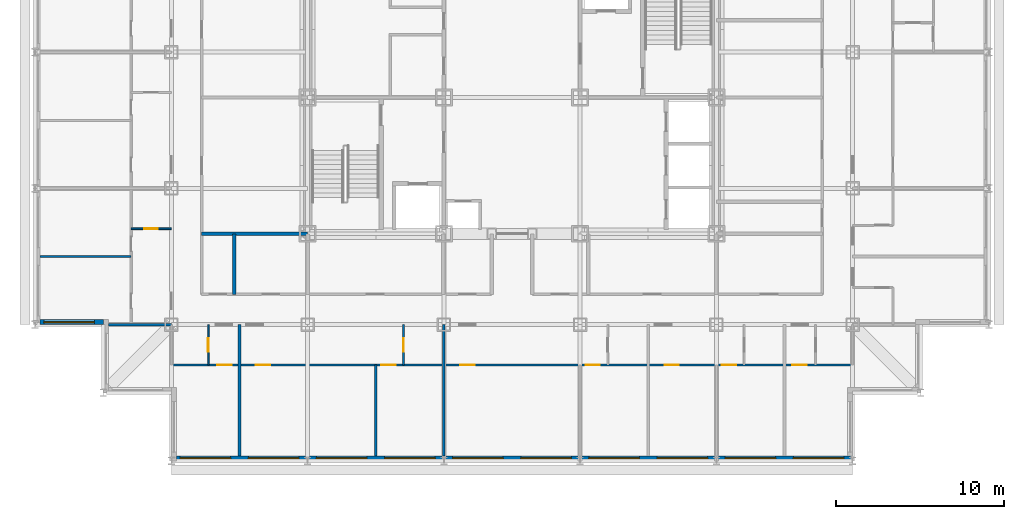
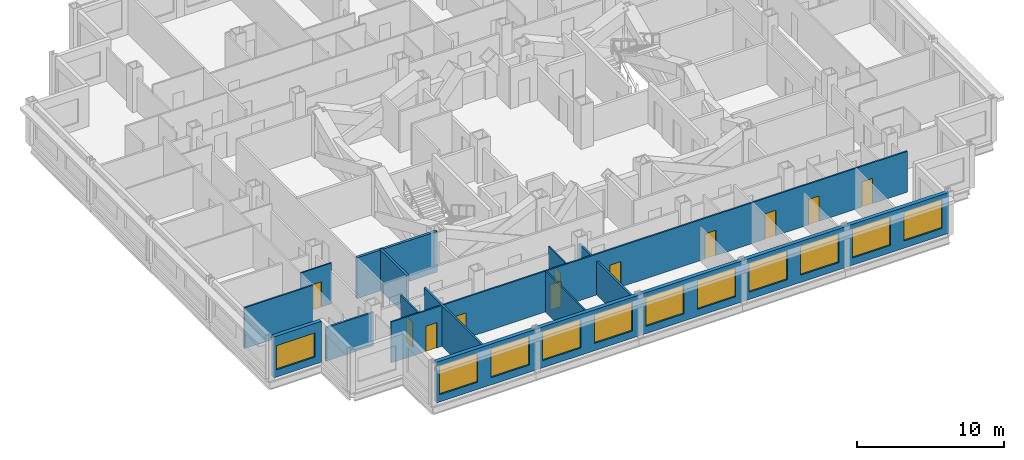
# One storey, part 4 of 12: 13 walls, 11 doors, 11 windows, 22 openings.
"""IFC4 building model written with IfcOpenShell, lengths in metres."""

from ifc_helpers import new_model, si_unit, direction, frame, frame_2d, origin, place, context, subcontext, project, spatial, rectangle, extrude, material, layer, layer_set, type_object, element, fill, save


model = new_model("IFC4")

# Units and contexts
model_context = context("Model", 3, precision=1e-05, world=origin(), true_north=direction((0.0, 1.0)))
body_context = subcontext(model_context, "Body", "Model", "MODEL_VIEW")
ifc_project = project(units=[si_unit("LENGTHUNIT", "METRE"), si_unit("AREAUNIT", "SQUARE_METRE"), si_unit("VOLUMEUNIT", "CUBIC_METRE"), si_unit("PLANEANGLEUNIT", "RADIAN"), si_unit("MASSUNIT", "GRAM", prefix="KILO")], contexts=[model_context])

# Site, building, storey
site_placement = place(None, origin())
site = spatial("IfcSite", under=ifc_project, at=site_placement, CompositionType="ELEMENT")
building_placement = place(site_placement, origin())
building = spatial("IfcBuilding", under=site, at=building_placement, Name="Kopane Lantern Tower", CompositionType="ELEMENT")
storey_placement = place(building_placement, frame((0.0, 0.0, 192.0)))
storey = spatial("IfcBuildingStorey", under=building, at=storey_placement, Name="L49", CompositionType="ELEMENT", Elevation=192.0)

# Walls
ifc_material_1 = material(Name="Gypsum board on steel studs", Category="steel")
ifc_layer_1 = layer(ifc_material_1, 0.1201171875)
ifc_layer_set_1 = layer_set([ifc_layer_1], Name="APARTMENT INTERNAL WALL 120")
wall_type_1 = type_object("IfcWallType", Name="APARTMENT INTERNAL WALL 120", PredefinedType="PARTITIONING", material=ifc_layer_set_1)
for number, where, z_axis, x_axis, name in (
    (1, (20.25, 16.5, 0.0), (0.0, 0.0, 1.0), (0.0, -1.0, 0.0), "Apartment Internal Wall 120 L49"),
    (2, (5.699951171875, 22.949951171875, 0.0), (0.0, 0.0, 1.0), (-1.0, 0.0, 0.0), "Apartment Internal Wall 120 L49"),
):
    element("IfcWall", number, at=place(storey_placement, frame(where, z_axis=z_axis, x_axis=x_axis)), inside=storey, type_object=wall_type_1, Name=name, PredefinedType="PARTITIONING", context=body_context, shape_type="SweptSolid", body=[
        extrude(rectangle(XDim=5.39990234375, YDim=0.1201171875, at=frame_2d((2.699951171875, 0.0))), origin(), (0.0, 0.0, 1.0), 3.389892578125),
    ])

# Wall, openings, doors
wall_1_placement = place(storey_placement, frame((8.10009765625, 16.5, 0.0), z_axis=(0.0, 0.0, 1.0), x_axis=(1.0, 0.0, 0.0)))
wall_1 = element("IfcWall", 3, at=wall_1_placement, inside=storey, type_object=wall_type_1, Name="Apartment Internal Wall 120 L49", PredefinedType="PARTITIONING", context=body_context, shape_type="SweptSolid", body=[
    extrude(rectangle(XDim=40.5, YDim=0.1201171875, at=frame_2d((20.25, 0.0))), origin(), (0.0, 0.0, 1.0), 3.389892578125),
])
opening_1_placement = place(wall_1_placement, frame((5.02490234375, 0.0, 0.0)))
opening_1 = element("IfcOpeningElement", 4, at=opening_1_placement, cuts=wall_1, Name="Opening L49-016", PredefinedType="OPENING", context=body_context, shape_type="SweptSolid", body=[
    extrude(rectangle(XDim=0.85009765625, YDim=2.10009765625, at=frame_2d((0.425048828125, 1.050048828125))), frame((0.0, 0.070068359375, 0.0), z_axis=(0.0, -1.0, 0.0), x_axis=(1.0, 0.0, 0.0)), (0.0, 0.0, 1.0), 0.14013671875),
])
opening_2_placement = place(wall_1_placement, frame((12.47509765625, 0.0, 0.0)))
opening_2 = element("IfcOpeningElement", 5, at=opening_2_placement, cuts=wall_1, Name="Opening L49-017", PredefinedType="OPENING", context=body_context, shape_type="SweptSolid", body=[
    extrude(rectangle(XDim=0.85009765625, YDim=2.10009765625, at=frame_2d((0.425048828125, 1.050048828125))), frame((0.0, 0.070068359375, 0.0), z_axis=(0.0, -1.0, 0.0), x_axis=(1.0, 0.0, 0.0)), (0.0, 0.0, 1.0), 0.14013671875),
])
opening_3_placement = place(wall_1_placement, frame((17.175048828125, 0.0, 0.0)))
opening_3 = element("IfcOpeningElement", 6, at=opening_3_placement, cuts=wall_1, Name="Opening L49-020", PredefinedType="OPENING", context=body_context, shape_type="SweptSolid", body=[
    extrude(rectangle(XDim=0.85009765625, YDim=2.10009765625, at=frame_2d((0.425048828125, 1.050048828125))), frame((0.0, 0.070068359375, 0.0), z_axis=(0.0, -1.0, 0.0), x_axis=(1.0, 0.0, 0.0)), (0.0, 0.0, 1.0), 0.14013671875),
])
opening_4_placement = place(wall_1_placement, frame((24.625, 0.0, 0.0)))
opening_4 = element("IfcOpeningElement", 7, at=opening_4_placement, cuts=wall_1, Name="Opening L49-021", PredefinedType="OPENING", context=body_context, shape_type="SweptSolid", body=[
    extrude(rectangle(XDim=0.85009765625, YDim=2.10009765625, at=frame_2d((0.425048828125, 1.050048828125))), frame((0.0, 0.070068359375, 0.0), z_axis=(0.0, -1.0, 0.0), x_axis=(1.0, 0.0, 0.0)), (0.0, 0.0, 1.0), 0.14013671875),
])
opening_5_placement = place(wall_1_placement, frame((29.324951171875, 0.0, 0.0)))
opening_5 = element("IfcOpeningElement", 8, at=opening_5_placement, cuts=wall_1, Name="Opening L49-024", PredefinedType="OPENING", context=body_context, shape_type="SweptSolid", body=[
    extrude(rectangle(XDim=0.85009765625, YDim=2.10009765625, at=frame_2d((0.425048828125, 1.050048828125))), frame((0.0, 0.070068359375, 0.0), z_axis=(0.0, -1.0, 0.0), x_axis=(1.0, 0.0, 0.0)), (0.0, 0.0, 1.0), 0.14013671875),
])
opening_6_placement = place(wall_1_placement, frame((32.72509765625, 0.0, 0.0)))
opening_6 = element("IfcOpeningElement", 9, at=opening_6_placement, cuts=wall_1, Name="Opening L49-025", PredefinedType="OPENING", context=body_context, shape_type="SweptSolid", body=[
    extrude(rectangle(XDim=0.85009765625, YDim=2.10009765625, at=frame_2d((0.425048828125, 1.050048828125))), frame((0.0, 0.070068359375, 0.0), z_axis=(0.0, -1.0, 0.0), x_axis=(1.0, 0.0, 0.0)), (0.0, 0.0, 1.0), 0.14013671875),
])
opening_7_placement = place(wall_1_placement, frame((2.72509765625, 0.0, 0.0)))
opening_7 = element("IfcOpeningElement", 10, at=opening_7_placement, cuts=wall_1, Name="Opening L49-064", PredefinedType="OPENING", context=body_context, shape_type="SweptSolid", body=[
    extrude(rectangle(XDim=0.85009765625, YDim=2.10009765625, at=frame_2d((0.425048828125, 1.050048828125))), frame((0.0, 0.070068359375, 0.0), z_axis=(0.0, -1.0, 0.0), x_axis=(1.0, 0.0, 0.0)), (0.0, 0.0, 1.0), 0.14013671875),
])
opening_8_placement = place(wall_1_placement, frame((36.925048828125, 0.0, 0.0)))
opening_8 = element("IfcOpeningElement", 11, at=opening_8_placement, cuts=wall_1, Name="Opening L49-067", PredefinedType="OPENING", context=body_context, shape_type="SweptSolid", body=[
    extrude(rectangle(XDim=0.85009765625, YDim=2.10009765625, at=frame_2d((0.425048828125, 1.050048828125))), frame((0.0, 0.070068359375, 0.0), z_axis=(0.0, -1.0, 0.0), x_axis=(1.0, 0.0, 0.0)), (0.0, 0.0, 1.0), 0.14013671875),
])
ifc_material_2 = material(Name="Timber door set", Category="wood")
door_type_1 = type_object("IfcDoorType", Name="DOOR D4 850x2100", OperationType="SINGLE_SWING_LEFT", PredefinedType="DOOR", material=ifc_material_2)
door_1_placement = place(opening_1_placement, origin())
door_1 = element("IfcDoor", 12, at=door_1_placement, inside=storey, type_object=door_type_1, Name="Door L49-016", OperationType="SINGLE_SWING_LEFT", OverallHeight=2.10009765625, OverallWidth=0.85009765625, PredefinedType="DOOR", context=body_context, shape_type="SweptSolid", body=[
    extrude(rectangle(XDim=0.85009765625, YDim=2.10009765625, at=frame_2d((0.425048828125, 1.050048828125))), frame((0.0, 0.02490234375, 0.0), z_axis=(0.0, -1.0, 0.0), x_axis=(1.0, 0.0, 0.0)), (0.0, 0.0, 1.0), 0.050048828125),
])
fill(opening_1, door_1)
door_2_placement = place(opening_2_placement, origin())
door_2 = element("IfcDoor", 13, at=door_2_placement, inside=storey, type_object=door_type_1, Name="Door L49-017", OperationType="SINGLE_SWING_RIGHT", OverallHeight=2.10009765625, OverallWidth=0.85009765625, PredefinedType="DOOR", context=body_context, shape_type="SweptSolid", body=[
    extrude(rectangle(XDim=0.85009765625, YDim=2.10009765625, at=frame_2d((0.425048828125, 1.050048828125))), frame((0.0, 0.02490234375, 0.0), z_axis=(0.0, -1.0, 0.0), x_axis=(1.0, 0.0, 0.0)), (0.0, 0.0, 1.0), 0.050048828125),
])
fill(opening_2, door_2)
door_3_placement = place(opening_3_placement, origin())
door_3 = element("IfcDoor", 14, at=door_3_placement, inside=storey, type_object=door_type_1, Name="Door L49-020", OperationType="SINGLE_SWING_RIGHT", OverallHeight=2.10009765625, OverallWidth=0.85009765625, PredefinedType="DOOR", context=body_context, shape_type="SweptSolid", body=[
    extrude(rectangle(XDim=0.85009765625, YDim=2.10009765625, at=frame_2d((0.425048828125, 1.050048828125))), frame((0.0, 0.02490234375, 0.0), z_axis=(0.0, -1.0, 0.0), x_axis=(1.0, 0.0, 0.0)), (0.0, 0.0, 1.0), 0.050048828125),
])
fill(opening_3, door_3)
door_4_placement = place(opening_4_placement, origin())
door_4 = element("IfcDoor", 15, at=door_4_placement, inside=storey, type_object=door_type_1, Name="Door L49-021", OperationType="SINGLE_SWING_RIGHT", OverallHeight=2.10009765625, OverallWidth=0.85009765625, PredefinedType="DOOR", context=body_context, shape_type="SweptSolid", body=[
    extrude(rectangle(XDim=0.85009765625, YDim=2.10009765625, at=frame_2d((0.425048828125, 1.050048828125))), frame((0.0, 0.02490234375, 0.0), z_axis=(0.0, -1.0, 0.0), x_axis=(1.0, 0.0, 0.0)), (0.0, 0.0, 1.0), 0.050048828125),
])
fill(opening_4, door_4)
door_5_placement = place(opening_5_placement, origin())
door_5 = element("IfcDoor", 16, at=door_5_placement, inside=storey, type_object=door_type_1, Name="Door L49-024", OperationType="SINGLE_SWING_LEFT", OverallHeight=2.10009765625, OverallWidth=0.85009765625, PredefinedType="DOOR", context=body_context, shape_type="SweptSolid", body=[
    extrude(rectangle(XDim=0.85009765625, YDim=2.10009765625, at=frame_2d((0.425048828125, 1.050048828125))), frame((0.0, 0.02490234375, 0.0), z_axis=(0.0, -1.0, 0.0), x_axis=(1.0, 0.0, 0.0)), (0.0, 0.0, 1.0), 0.050048828125),
])
fill(opening_5, door_5)
door_6_placement = place(opening_6_placement, origin())
door_6 = element("IfcDoor", 17, at=door_6_placement, inside=storey, type_object=door_type_1, Name="Door L49-025", OperationType="SINGLE_SWING_RIGHT", OverallHeight=2.10009765625, OverallWidth=0.85009765625, PredefinedType="DOOR", context=body_context, shape_type="SweptSolid", body=[
    extrude(rectangle(XDim=0.85009765625, YDim=2.10009765625, at=frame_2d((0.425048828125, 1.050048828125))), frame((0.0, 0.02490234375, 0.0), z_axis=(0.0, -1.0, 0.0), x_axis=(1.0, 0.0, 0.0)), (0.0, 0.0, 1.0), 0.050048828125),
])
fill(opening_6, door_6)
door_7_placement = place(opening_7_placement, origin())
door_7 = element("IfcDoor", 18, at=door_7_placement, inside=storey, type_object=door_type_1, Name="Door L49-064", OperationType="SINGLE_SWING_LEFT", OverallHeight=2.10009765625, OverallWidth=0.85009765625, PredefinedType="DOOR", context=body_context, shape_type="SweptSolid", body=[
    extrude(rectangle(XDim=0.85009765625, YDim=2.10009765625, at=frame_2d((0.425048828125, 1.050048828125))), frame((0.0, 0.02490234375, 0.0), z_axis=(0.0, -1.0, 0.0), x_axis=(1.0, 0.0, 0.0)), (0.0, 0.0, 1.0), 0.050048828125),
])
fill(opening_7, door_7)
door_8_placement = place(opening_8_placement, origin())
door_8 = element("IfcDoor", 19, at=door_8_placement, inside=storey, type_object=door_type_1, Name="Door L49-067", OperationType="SINGLE_SWING_RIGHT", OverallHeight=2.10009765625, OverallWidth=0.85009765625, PredefinedType="DOOR", context=body_context, shape_type="SweptSolid", body=[
    extrude(rectangle(XDim=0.85009765625, YDim=2.10009765625, at=frame_2d((0.425048828125, 1.050048828125))), frame((0.0, 0.02490234375, 0.0), z_axis=(0.0, -1.0, 0.0), x_axis=(1.0, 0.0, 0.0)), (0.0, 0.0, 1.0), 0.050048828125),
])
fill(opening_8, door_8)

# Wall, opening, door
ifc_material_3 = material(Name="Moisture-resistant board on steel studs", Category="steel")
ifc_layer_2 = layer(ifc_material_3, 0.10009765625)
ifc_layer_set_2 = layer_set([ifc_layer_2], Name="BATHROOM WALL 100")
wall_type_2 = type_object("IfcWallType", Name="BATHROOM WALL 100", PredefinedType="PARTITIONING", material=ifc_layer_set_2)
wall_2_placement = place(storey_placement, frame((21.89990234375, 18.89990234375, 0.0), z_axis=(0.0, 0.0, 1.0), x_axis=(0.0, -1.0, 0.0)))
wall_2 = element("IfcWall", 20, at=wall_2_placement, inside=storey, type_object=wall_type_2, Name="Bathroom Wall 100 L49", PredefinedType="PARTITIONING", context=body_context, shape_type="SweptSolid", body=[
    extrude(rectangle(XDim=2.39990234375, YDim=0.10009765625, at=frame_2d((1.199951171875, 0.0))), origin(), (0.0, 0.0, 1.0), 3.389892578125),
])
opening_9_placement = place(wall_2_placement, frame((0.800048828125, 0.0, 0.0)))
opening_9 = element("IfcOpeningElement", 21, at=opening_9_placement, cuts=wall_2, Name="Opening L49-014", PredefinedType="OPENING", context=body_context, shape_type="SweptSolid", body=[
    extrude(rectangle(XDim=0.800048828125, YDim=2.10009765625, at=frame_2d((0.39990234375, 1.050048828125))), frame((0.0, 0.06005859375, 0.0), z_axis=(0.0, -1.0, 0.0), x_axis=(1.0, 0.0, 0.0)), (0.0, 0.0, 1.0), 0.1201171875),
])
ifc_material_4 = material(Name="Timber door set", Category="wood")
door_type_2 = type_object("IfcDoorType", Name="DOOR D2 800x2100", OperationType="SINGLE_SWING_LEFT", PredefinedType="DOOR", material=ifc_material_4)
door_9_placement = place(opening_9_placement, origin())
door_9 = element("IfcDoor", 22, at=door_9_placement, inside=storey, type_object=door_type_2, Name="Door L49-014", OperationType="SINGLE_SWING_LEFT", OverallHeight=2.10009765625, OverallWidth=0.800048828125, PredefinedType="DOOR", context=body_context, shape_type="SweptSolid", body=[
    extrude(rectangle(XDim=0.800048828125, YDim=2.10009765625, at=frame_2d((0.39990234375, 1.050048828125))), frame((0.0, 0.02490234375, 0.0), z_axis=(0.0, -1.0, 0.0), x_axis=(1.0, 0.0, 0.0)), (0.0, 0.0, 1.0), 0.050048828125),
])
fill(opening_9, door_9)

wall_3_placement = place(storey_placement, frame((8.10009765625, 24.60009765625, 0.0), z_axis=(0.0, 0.0, 1.0), x_axis=(-1.0, 0.0, 0.0)))
wall_3 = element("IfcWall", 23, at=wall_3_placement, inside=storey, type_object=wall_type_2, Name="Bathroom Wall 100 L49", PredefinedType="PARTITIONING", context=body_context, shape_type="SweptSolid", body=[
    extrude(rectangle(XDim=2.400146484375, YDim=0.10009765625, at=frame_2d((1.2001953125, 0.0))), origin(), (0.0, 0.0, 1.0), 3.389892578125),
])
opening_10_placement = place(wall_3_placement, frame((0.800048828125, 0.0, 0.0)))
opening_10 = element("IfcOpeningElement", 24, at=opening_10_placement, cuts=wall_3, Name="Opening L49-040", PredefinedType="OPENING", context=body_context, shape_type="SweptSolid", body=[
    extrude(rectangle(XDim=0.800048828125, YDim=2.10009765625, at=frame_2d((0.39990234375, 1.050048828125))), frame((0.0, 0.06005859375, 0.0), z_axis=(0.0, -1.0, 0.0), x_axis=(1.0, 0.0, 0.0)), (0.0, 0.0, 1.0), 0.1201171875),
])
door_10_placement = place(opening_10_placement, origin())
door_10 = element("IfcDoor", 25, at=door_10_placement, inside=storey, type_object=door_type_2, Name="Door L49-040", OperationType="SINGLE_SWING_RIGHT", OverallHeight=2.10009765625, OverallWidth=0.800048828125, PredefinedType="DOOR", context=body_context, shape_type="SweptSolid", body=[
    extrude(rectangle(XDim=0.800048828125, YDim=2.10009765625, at=frame_2d((0.39990234375, 1.050048828125))), frame((0.0, 0.02490234375, 0.0), z_axis=(0.0, -1.0, 0.0), x_axis=(1.0, 0.0, 0.0)), (0.0, 0.0, 1.0), 0.050048828125),
])
fill(opening_10, door_10)

wall_4_placement = place(storey_placement, frame((10.300048828125, 18.89990234375, 0.0), z_axis=(0.0, 0.0, 1.0), x_axis=(0.0, -1.0, 0.0)))
wall_4 = element("IfcWall", 26, at=wall_4_placement, inside=storey, type_object=wall_type_2, Name="Bathroom Wall 100 L49", PredefinedType="PARTITIONING", context=body_context, shape_type="SweptSolid", body=[
    extrude(rectangle(XDim=2.39990234375, YDim=0.10009765625, at=frame_2d((1.199951171875, 0.0))), origin(), (0.0, 0.0, 1.0), 3.389892578125),
])
opening_11_placement = place(wall_4_placement, frame((0.800048828125, 0.0, 0.0)))
opening_11 = element("IfcOpeningElement", 27, at=opening_11_placement, cuts=wall_4, Name="Opening L49-062", PredefinedType="OPENING", context=body_context, shape_type="SweptSolid", body=[
    extrude(rectangle(XDim=0.800048828125, YDim=2.10009765625, at=frame_2d((0.39990234375, 1.050048828125))), frame((0.0, 0.06005859375, 0.0), z_axis=(0.0, -1.0, 0.0), x_axis=(1.0, 0.0, 0.0)), (0.0, 0.0, 1.0), 0.1201171875),
])
door_11_placement = place(opening_11_placement, origin())
door_11 = element("IfcDoor", 28, at=door_11_placement, inside=storey, type_object=door_type_2, Name="Door L49-062", OperationType="SINGLE_SWING_RIGHT", OverallHeight=2.10009765625, OverallWidth=0.800048828125, PredefinedType="DOOR", context=body_context, shape_type="SweptSolid", body=[
    extrude(rectangle(XDim=0.800048828125, YDim=2.10009765625, at=frame_2d((0.39990234375, 1.050048828125))), frame((0.0, 0.02490234375, 0.0), z_axis=(0.0, -1.0, 0.0), x_axis=(1.0, 0.0, 0.0)), (0.0, 0.0, 1.0), 0.050048828125),
])
fill(opening_11, door_11)

# Walls
ifc_material_5 = material(Name="Gypsum board on steel studs", Category="steel")
ifc_layer_3 = layer(ifc_material_5, 0.14990234375)
ifc_layer_set_3 = layer_set([ifc_layer_3], Name="DEMISING WALL 150 EI 60")
wall_type_3 = type_object("IfcWallType", Name="DEMISING WALL 150 EI 60", PredefinedType="PARTITIONING", material=ifc_layer_set_3)
wall_5_placement = place(storey_placement, frame((24.300048828125, 18.89990234375, 0.0), z_axis=(0.0, 0.0, 1.0), x_axis=(0.0, -1.0, 0.0)))
element("IfcWall", 29, at=wall_5_placement, inside=storey, type_object=wall_type_3, Name="Demising Wall 150 Ei 60 L49", PredefinedType="PARTITIONING", context=body_context, shape_type="SweptSolid", body=[
    extrude(rectangle(XDim=7.7998046875, YDim=0.14990234375, at=frame_2d((3.89990234375, 0.0))), origin(), (0.0, 0.0, 1.0), 2.77783203125),
])
wall_6_placement = place(storey_placement, frame((4.35009765625, 18.89990234375, 0.0), z_axis=(0.0, 0.0, 1.0), x_axis=(1.0, 0.0, 0.0)))
element("IfcWall", 30, at=wall_6_placement, inside=storey, type_object=wall_type_3, Name="Demising Wall 150 Ei 60 L49", PredefinedType="PARTITIONING", context=body_context, shape_type="SweptSolid", body=[
    extrude(rectangle(XDim=3.75, YDim=0.14990234375, at=frame_2d((1.875, 0.0))), origin(), (0.0, 0.0, 1.0), 2.77783203125),
])
wall_7_placement = place(storey_placement, frame((12.14990234375, 18.89990234375, 0.0), z_axis=(0.0, 0.0, 1.0), x_axis=(0.0, -1.0, 0.0)))
element("IfcWall", 31, at=wall_7_placement, inside=storey, type_object=wall_type_3, Name="Demising Wall 150 Ei 60 L49", PredefinedType="PARTITIONING", context=body_context, shape_type="SweptSolid", body=[
    extrude(rectangle(XDim=7.7998046875, YDim=0.14990234375, at=frame_2d((3.89990234375, 0.0))), origin(), (0.0, 0.0, 1.0), 3.389892578125),
])

# Wall, openings, windows
ifc_material_6 = material(Name="Terracotta rainscreen on light steel framing", Category="masonry")
ifc_layer_4 = layer(ifc_material_6, 0.300048828125)
ifc_layer_set_4 = layer_set([ifc_layer_4], Name="EXTERNAL WALL EW1 300 TERRACOTTA")
wall_type_4 = type_object("IfcWallType", Name="EXTERNAL WALL EW1 300 TERRACOTTA", PredefinedType="SOLIDWALL", material=ifc_layer_set_4)
wall_8_placement = place(storey_placement, frame((8.39990234375, 10.949951171875, 0.0), z_axis=(0.0, 0.0, 1.0), x_axis=(1.0, 0.0, 0.0)))
wall_8 = element("IfcWall", 32, at=wall_8_placement, inside=storey, type_object=wall_type_4, Name="External wall S L49", PredefinedType="SOLIDWALL", context=body_context, shape_type="SweptSolid", body=[
    extrude(rectangle(XDim=40.2001953125, YDim=0.300048828125, at=frame_2d((20.10009765625, 0.0))), origin(), (0.0, 0.0, 1.0), 3.389892578125),
])
opening_12_placement = place(wall_8_placement, frame((0.22509765625, 0.0, 0.60009765625)))
opening_12 = element("IfcOpeningElement", 33, at=opening_12_placement, cuts=wall_8, Name="Opening WR300240", PredefinedType="OPENING", context=body_context, shape_type="SweptSolid", body=[
    extrude(rectangle(XDim=3.0, YDim=2.39990234375, at=frame_2d((1.5, 1.199951171875))), frame((0.0, 0.159912109375, 0.0), z_axis=(0.0, -1.0, 0.0), x_axis=(1.0, 0.0, 0.0)), (0.0, 0.0, 1.0), 0.320068359375),
])
opening_13_placement = place(wall_8_placement, frame((4.27490234375, 0.0, 0.60009765625)))
opening_13 = element("IfcOpeningElement", 34, at=opening_13_placement, cuts=wall_8, Name="Opening WR300240", PredefinedType="OPENING", context=body_context, shape_type="SweptSolid", body=[
    extrude(rectangle(XDim=3.0, YDim=2.39990234375, at=frame_2d((1.5, 1.199951171875))), frame((0.0, 0.159912109375, 0.0), z_axis=(0.0, -1.0, 0.0), x_axis=(1.0, 0.0, 0.0)), (0.0, 0.0, 1.0), 0.320068359375),
])
opening_14_placement = place(wall_8_placement, frame((8.324951171875, 0.0, 0.60009765625)))
opening_14 = element("IfcOpeningElement", 35, at=opening_14_placement, cuts=wall_8, Name="Opening WR300240", PredefinedType="OPENING", context=body_context, shape_type="SweptSolid", body=[
    extrude(rectangle(XDim=3.0, YDim=2.39990234375, at=frame_2d((1.5, 1.199951171875))), frame((0.0, 0.159912109375, 0.0), z_axis=(0.0, -1.0, 0.0), x_axis=(1.0, 0.0, 0.0)), (0.0, 0.0, 1.0), 0.320068359375),
])
opening_15_placement = place(wall_8_placement, frame((12.375, 0.0, 0.60009765625)))
opening_15 = element("IfcOpeningElement", 36, at=opening_15_placement, cuts=wall_8, Name="Opening WR300240", PredefinedType="OPENING", context=body_context, shape_type="SweptSolid", body=[
    extrude(rectangle(XDim=3.0, YDim=2.39990234375, at=frame_2d((1.5, 1.199951171875))), frame((0.0, 0.159912109375, 0.0), z_axis=(0.0, -1.0, 0.0), x_axis=(1.0, 0.0, 0.0)), (0.0, 0.0, 1.0), 0.320068359375),
])
opening_16_placement = place(wall_8_placement, frame((16.425048828125, 0.0, 0.60009765625)))
opening_16 = element("IfcOpeningElement", 37, at=opening_16_placement, cuts=wall_8, Name="Opening WR300240", PredefinedType="OPENING", context=body_context, shape_type="SweptSolid", body=[
    extrude(rectangle(XDim=3.0, YDim=2.39990234375, at=frame_2d((1.5, 1.199951171875))), frame((0.0, 0.159912109375, 0.0), z_axis=(0.0, -1.0, 0.0), x_axis=(1.0, 0.0, 0.0)), (0.0, 0.0, 1.0), 0.320068359375),
])
opening_17_placement = place(wall_8_placement, frame((20.47509765625, 0.0, 0.60009765625)))
opening_17 = element("IfcOpeningElement", 38, at=opening_17_placement, cuts=wall_8, Name="Opening WR300240", PredefinedType="OPENING", context=body_context, shape_type="SweptSolid", body=[
    extrude(rectangle(XDim=3.0, YDim=2.39990234375, at=frame_2d((1.5, 1.199951171875))), frame((0.0, 0.159912109375, 0.0), z_axis=(0.0, -1.0, 0.0), x_axis=(1.0, 0.0, 0.0)), (0.0, 0.0, 1.0), 0.320068359375),
])
opening_18_placement = place(wall_8_placement, frame((24.52490234375, 0.0, 0.60009765625)))
opening_18 = element("IfcOpeningElement", 39, at=opening_18_placement, cuts=wall_8, Name="Opening WR300240", PredefinedType="OPENING", context=body_context, shape_type="SweptSolid", body=[
    extrude(rectangle(XDim=3.0, YDim=2.39990234375, at=frame_2d((1.5, 1.199951171875))), frame((0.0, 0.159912109375, 0.0), z_axis=(0.0, -1.0, 0.0), x_axis=(1.0, 0.0, 0.0)), (0.0, 0.0, 1.0), 0.320068359375),
])
opening_19_placement = place(wall_8_placement, frame((28.574951171875, 0.0, 0.60009765625)))
opening_19 = element("IfcOpeningElement", 40, at=opening_19_placement, cuts=wall_8, Name="Opening WR300240", PredefinedType="OPENING", context=body_context, shape_type="SweptSolid", body=[
    extrude(rectangle(XDim=3.0, YDim=2.39990234375, at=frame_2d((1.5, 1.199951171875))), frame((0.0, 0.159912109375, 0.0), z_axis=(0.0, -1.0, 0.0), x_axis=(1.0, 0.0, 0.0)), (0.0, 0.0, 1.0), 0.320068359375),
])
opening_20_placement = place(wall_8_placement, frame((32.625, 0.0, 0.60009765625)))
opening_20 = element("IfcOpeningElement", 41, at=opening_20_placement, cuts=wall_8, Name="Opening WR300240", PredefinedType="OPENING", context=body_context, shape_type="SweptSolid", body=[
    extrude(rectangle(XDim=3.0, YDim=2.39990234375, at=frame_2d((1.5, 1.199951171875))), frame((0.0, 0.159912109375, 0.0), z_axis=(0.0, -1.0, 0.0), x_axis=(1.0, 0.0, 0.0)), (0.0, 0.0, 1.0), 0.320068359375),
])
opening_21_placement = place(wall_8_placement, frame((36.675048828125, 0.0, 0.60009765625)))
opening_21 = element("IfcOpeningElement", 42, at=opening_21_placement, cuts=wall_8, Name="Opening WR300240", PredefinedType="OPENING", context=body_context, shape_type="SweptSolid", body=[
    extrude(rectangle(XDim=3.0, YDim=2.39990234375, at=frame_2d((1.5, 1.199951171875))), frame((0.0, 0.159912109375, 0.0), z_axis=(0.0, -1.0, 0.0), x_axis=(1.0, 0.0, 0.0)), (0.0, 0.0, 1.0), 0.320068359375),
])
ifc_material_7 = material(Name="Aluminium and clear glass", Category="aluminium")
window_type_1 = type_object("IfcWindowType", Name="RIBBON WINDOW WR300240 3000x2400", PartitioningType="SINGLE_PANEL", PredefinedType="WINDOW", material=ifc_material_7)
window_1_placement = place(opening_12_placement, origin())
window_1 = element("IfcWindow", 43, at=window_1_placement, inside=storey, type_object=window_type_1, Name="Window S L49", OverallHeight=2.39990234375, OverallWidth=3.0, PartitioningType="SINGLE_PANEL", PredefinedType="WINDOW", context=body_context, shape_type="SweptSolid", body=[
    extrude(rectangle(XDim=3.0, YDim=2.39990234375, at=frame_2d((1.5, 1.199951171875))), frame((0.0, 0.030029296875, 0.0), z_axis=(0.0, -1.0, 0.0), x_axis=(1.0, 0.0, 0.0)), (0.0, 0.0, 1.0), 0.06005859375),
])
fill(opening_12, window_1)
window_2_placement = place(opening_13_placement, origin())
window_2 = element("IfcWindow", 44, at=window_2_placement, inside=storey, type_object=window_type_1, Name="Window S L49", OverallHeight=2.39990234375, OverallWidth=3.0, PartitioningType="SINGLE_PANEL", PredefinedType="WINDOW", context=body_context, shape_type="SweptSolid", body=[
    extrude(rectangle(XDim=3.0, YDim=2.39990234375, at=frame_2d((1.5, 1.199951171875))), frame((0.0, 0.030029296875, 0.0), z_axis=(0.0, -1.0, 0.0), x_axis=(1.0, 0.0, 0.0)), (0.0, 0.0, 1.0), 0.06005859375),
])
fill(opening_13, window_2)
window_3_placement = place(opening_14_placement, origin())
window_3 = element("IfcWindow", 45, at=window_3_placement, inside=storey, type_object=window_type_1, Name="Window S L49", OverallHeight=2.39990234375, OverallWidth=3.0, PartitioningType="SINGLE_PANEL", PredefinedType="WINDOW", context=body_context, shape_type="SweptSolid", body=[
    extrude(rectangle(XDim=3.0, YDim=2.39990234375, at=frame_2d((1.5, 1.199951171875))), frame((0.0, 0.030029296875, 0.0), z_axis=(0.0, -1.0, 0.0), x_axis=(1.0, 0.0, 0.0)), (0.0, 0.0, 1.0), 0.06005859375),
])
fill(opening_14, window_3)
window_4_placement = place(opening_15_placement, origin())
window_4 = element("IfcWindow", 46, at=window_4_placement, inside=storey, type_object=window_type_1, Name="Window S L49", OverallHeight=2.39990234375, OverallWidth=3.0, PartitioningType="SINGLE_PANEL", PredefinedType="WINDOW", context=body_context, shape_type="SweptSolid", body=[
    extrude(rectangle(XDim=3.0, YDim=2.39990234375, at=frame_2d((1.5, 1.199951171875))), frame((0.0, 0.030029296875, 0.0), z_axis=(0.0, -1.0, 0.0), x_axis=(1.0, 0.0, 0.0)), (0.0, 0.0, 1.0), 0.06005859375),
])
fill(opening_15, window_4)
window_5_placement = place(opening_16_placement, origin())
window_5 = element("IfcWindow", 47, at=window_5_placement, inside=storey, type_object=window_type_1, Name="Window S L49", OverallHeight=2.39990234375, OverallWidth=3.0, PartitioningType="SINGLE_PANEL", PredefinedType="WINDOW", context=body_context, shape_type="SweptSolid", body=[
    extrude(rectangle(XDim=3.0, YDim=2.39990234375, at=frame_2d((1.5, 1.199951171875))), frame((0.0, 0.030029296875, 0.0), z_axis=(0.0, -1.0, 0.0), x_axis=(1.0, 0.0, 0.0)), (0.0, 0.0, 1.0), 0.06005859375),
])
fill(opening_16, window_5)
window_6_placement = place(opening_17_placement, origin())
window_6 = element("IfcWindow", 48, at=window_6_placement, inside=storey, type_object=window_type_1, Name="Window S L49", OverallHeight=2.39990234375, OverallWidth=3.0, PartitioningType="SINGLE_PANEL", PredefinedType="WINDOW", context=body_context, shape_type="SweptSolid", body=[
    extrude(rectangle(XDim=3.0, YDim=2.39990234375, at=frame_2d((1.5, 1.199951171875))), frame((0.0, 0.030029296875, 0.0), z_axis=(0.0, -1.0, 0.0), x_axis=(1.0, 0.0, 0.0)), (0.0, 0.0, 1.0), 0.06005859375),
])
fill(opening_17, window_6)
window_7_placement = place(opening_18_placement, origin())
window_7 = element("IfcWindow", 49, at=window_7_placement, inside=storey, type_object=window_type_1, Name="Window S L49", OverallHeight=2.39990234375, OverallWidth=3.0, PartitioningType="SINGLE_PANEL", PredefinedType="WINDOW", context=body_context, shape_type="SweptSolid", body=[
    extrude(rectangle(XDim=3.0, YDim=2.39990234375, at=frame_2d((1.5, 1.199951171875))), frame((0.0, 0.030029296875, 0.0), z_axis=(0.0, -1.0, 0.0), x_axis=(1.0, 0.0, 0.0)), (0.0, 0.0, 1.0), 0.06005859375),
])
fill(opening_18, window_7)
window_8_placement = place(opening_19_placement, origin())
window_8 = element("IfcWindow", 50, at=window_8_placement, inside=storey, type_object=window_type_1, Name="Window S L49", OverallHeight=2.39990234375, OverallWidth=3.0, PartitioningType="SINGLE_PANEL", PredefinedType="WINDOW", context=body_context, shape_type="SweptSolid", body=[
    extrude(rectangle(XDim=3.0, YDim=2.39990234375, at=frame_2d((1.5, 1.199951171875))), frame((0.0, 0.030029296875, 0.0), z_axis=(0.0, -1.0, 0.0), x_axis=(1.0, 0.0, 0.0)), (0.0, 0.0, 1.0), 0.06005859375),
])
fill(opening_19, window_8)
window_9_placement = place(opening_20_placement, origin())
window_9 = element("IfcWindow", 51, at=window_9_placement, inside=storey, type_object=window_type_1, Name="Window S L49", OverallHeight=2.39990234375, OverallWidth=3.0, PartitioningType="SINGLE_PANEL", PredefinedType="WINDOW", context=body_context, shape_type="SweptSolid", body=[
    extrude(rectangle(XDim=3.0, YDim=2.39990234375, at=frame_2d((1.5, 1.199951171875))), frame((0.0, 0.030029296875, 0.0), z_axis=(0.0, -1.0, 0.0), x_axis=(1.0, 0.0, 0.0)), (0.0, 0.0, 1.0), 0.06005859375),
])
fill(opening_20, window_9)
window_10_placement = place(opening_21_placement, origin())
window_10 = element("IfcWindow", 52, at=window_10_placement, inside=storey, type_object=window_type_1, Name="Window S L49", OverallHeight=2.39990234375, OverallWidth=3.0, PartitioningType="SINGLE_PANEL", PredefinedType="WINDOW", context=body_context, shape_type="SweptSolid", body=[
    extrude(rectangle(XDim=3.0, YDim=2.39990234375, at=frame_2d((1.5, 1.199951171875))), frame((0.0, 0.030029296875, 0.0), z_axis=(0.0, -1.0, 0.0), x_axis=(1.0, 0.0, 0.0)), (0.0, 0.0, 1.0), 0.06005859375),
])
fill(opening_21, window_10)

# Wall, opening, window
wall_9_placement = place(storey_placement, frame((0.300048828125, 19.050048828125, 0.0), z_axis=(0.0, 0.0, 1.0), x_axis=(1.0, 0.0, 0.0)))
wall_9 = element("IfcWall", 53, at=wall_9_placement, inside=storey, type_object=wall_type_4, Name="External wall S L49", PredefinedType="SOLIDWALL", context=body_context, shape_type="SweptSolid", body=[
    extrude(rectangle(XDim=3.75, YDim=0.300048828125, at=frame_2d((1.875, 0.0))), origin(), (0.0, 0.0, 1.0), 3.389892578125),
])
opening_22_placement = place(wall_9_placement, frame((0.22509765625, 0.0, 0.60009765625)))
opening_22 = element("IfcOpeningElement", 54, at=opening_22_placement, cuts=wall_9, Name="Opening WR300200", PredefinedType="OPENING", context=body_context, shape_type="SweptSolid", body=[
    extrude(rectangle(XDim=3.0, YDim=2.0, at=frame_2d((1.5, 1.0))), frame((0.0, 0.159912109375, 0.0), z_axis=(0.0, -1.0, 0.0), x_axis=(1.0, 0.0, 0.0)), (0.0, 0.0, 1.0), 0.320068359375),
])
ifc_material_8 = material(Name="Aluminium and clear glass", Category="aluminium")
window_type_2 = type_object("IfcWindowType", Name="RIBBON WINDOW WR300200 3000x2000", PartitioningType="SINGLE_PANEL", PredefinedType="WINDOW", material=ifc_material_8)
window_11_placement = place(opening_22_placement, origin())
window_11 = element("IfcWindow", 55, at=window_11_placement, inside=storey, type_object=window_type_2, Name="Window S L49", OverallHeight=2.0, OverallWidth=3.0, PartitioningType="SINGLE_PANEL", PredefinedType="WINDOW", context=body_context, shape_type="SweptSolid", body=[
    extrude(rectangle(XDim=3.0, YDim=2.0, at=frame_2d((1.5, 1.0))), frame((0.0, 0.030029296875, 0.0), z_axis=(0.0, -1.0, 0.0), x_axis=(1.0, 0.0, 0.0)), (0.0, 0.0, 1.0), 0.06005859375),
])
fill(opening_22, window_11)

# Walls
ifc_material_9 = material(Name="Concrete masonry", Category="masonry")
ifc_layer_5 = layer(ifc_material_9, 0.199951171875)
ifc_layer_set_5 = layer_set([ifc_layer_5], Name="PLANT ROOM WALL 200 EI 120")
wall_type_5 = type_object("IfcWallType", Name="PLANT ROOM WALL 200 EI 120", PredefinedType="SOLIDWALL", material=ifc_layer_set_5)
wall_10_placement = place(storey_placement, frame((11.844482421875, 20.699951171875, 0.0), z_axis=(0.0, 0.0, 1.0), x_axis=(0.0, 1.0, 0.0)))
element("IfcWall", 56, at=wall_10_placement, inside=storey, type_object=wall_type_5, Name="Plant Room Wall 200 Ei 120 L49", PredefinedType="SOLIDWALL", context=body_context, shape_type="SweptSolid", body=[
    extrude(rectangle(XDim=3.60009765625, YDim=0.199951171875, at=frame_2d((1.800048828125, 0.0))), origin(), (0.0, 0.0, 1.0), 3.389892578125),
])
wall_11_placement = place(storey_placement, frame((9.89990234375, 24.300048828125, 0.0), z_axis=(0.0, 0.0, 1.0), x_axis=(1.0, 0.0, 0.0)))
element("IfcWall", 57, at=wall_11_placement, inside=storey, type_object=wall_type_5, Name="Plant Room Wall 200 Ei 120 L49", PredefinedType="SOLIDWALL", context=body_context, shape_type="SweptSolid", body=[
    extrude(rectangle(XDim=6.300048828125, YDim=0.199951171875, at=frame_2d((3.14990234375, 0.0))), origin(), (0.0, 0.0, 1.0), 3.389892578125),
])

save(model, "model.ifc")
